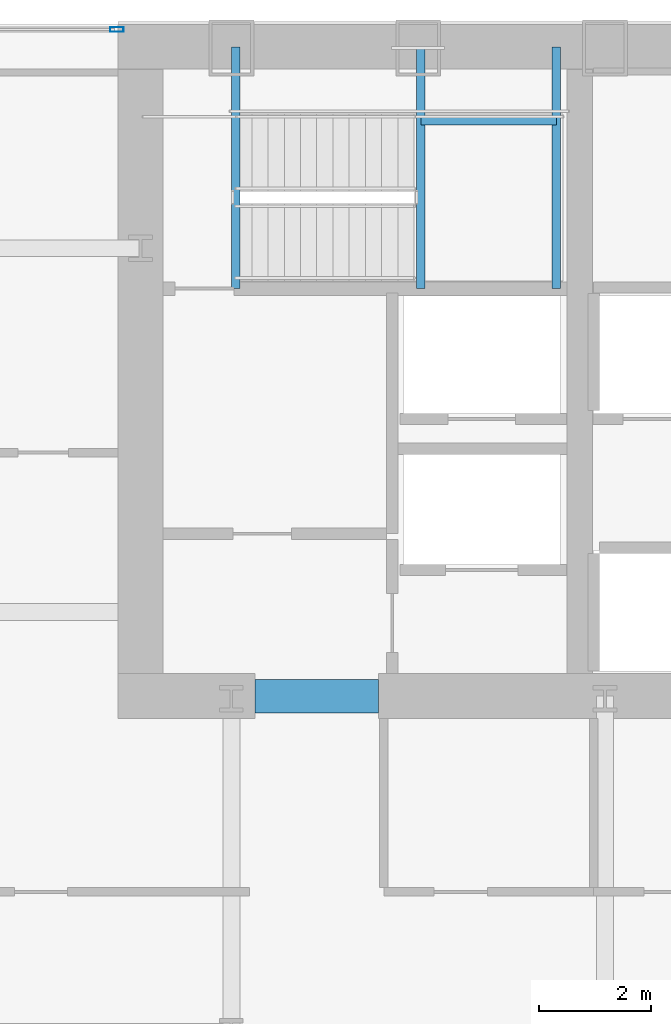
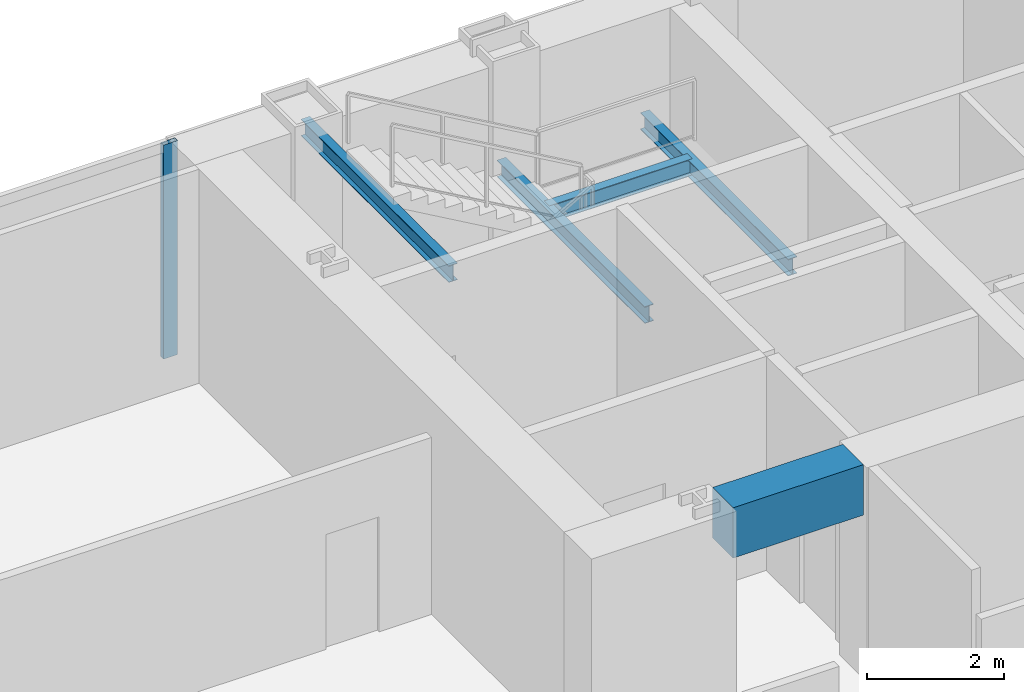
# One storey, part 18 of 35: 5 beams, 1 member, 1 element without a shape of its own.
"""IFC4 building model written with IfcOpenShell, lengths in metres."""

from ifc_helpers import new_model, si_unit, direction, frame, origin, origin_2d, place, context, subcontext, project, spatial, rectangle, hollow_rectangle, i_section, extrude, material, material_profile, profile_set, type_object, element, aggregate, save


model = new_model("IFC4")

# Units and contexts
model_context = context("Model", 3, precision=1e-05, world=origin(), true_north=direction((0.0, 1.0)))
body_context = subcontext(model_context, "Body", "Model", "MODEL_VIEW")
ifc_project = project(units=[si_unit("LENGTHUNIT", "METRE"), si_unit("AREAUNIT", "SQUARE_METRE"), si_unit("VOLUMEUNIT", "CUBIC_METRE"), si_unit("PLANEANGLEUNIT", "RADIAN"), si_unit("MASSUNIT", "GRAM", prefix="KILO")], contexts=[model_context])

# Site, building, storey
site_placement = place(None, origin())
site = spatial("IfcSite", under=ifc_project, at=site_placement, CompositionType="ELEMENT")
building_placement = place(site_placement, origin())
building = spatial("IfcBuilding", under=site, at=building_placement, Name="Khoronbel Lancet Exchange", CompositionType="ELEMENT")
storey_placement = place(building_placement, frame((0.0, 0.0, 69.800048828125)))
storey = spatial("IfcBuildingStorey", under=building, at=storey_placement, Name="L16", CompositionType="ELEMENT", Elevation=69.800048828125)

# Beams
ifc_material_1 = material(Name="Steel S355", Category="steel")
ifc_material_profile_1 = material_profile(ifc_material_1, i_section(OverallWidth=0.14990234375, OverallDepth=0.300048828125, WebThickness=0.007080078125, FlangeThickness=0.0107421875, at=origin_2d()), Name="IPE 300")
ifc_profile_set_1 = profile_set([ifc_material_profile_1], Name="Steel S355")
beam_type_1 = type_object("IfcBeamType", Name="BM-BJ8", PredefinedType="JOIST", material=ifc_profile_set_1)
for number, where, z_axis, x_axis, name in (
    (1, (21.610107421875, 48.97998046875, 1.64990234375), (0.0, 1.0, 0.0), (-1.0, 0.0, 0.0), "Level L16 stair ST1 landing bearer beam 1"),
    (2, (24.030029296875, 48.97998046875, 1.64990234375), (0.0, 1.0, 0.0), (-1.0, 0.0, 0.0), "Level L16 stair ST1 rear landing bearer beam 1"),
):
    element("IfcBeam", number, at=place(storey_placement, frame(where, z_axis=z_axis, x_axis=x_axis)), inside=storey, type_object=beam_type_1, Name=name, PredefinedType="JOIST", context=body_context, shape_type="SweptSolid", body=[
        extrude(i_section(OverallWidth=0.14990234375, OverallDepth=0.300048828125, WebThickness=0.007080078125, FlangeThickness=0.0107421875, at=origin_2d()), origin(), (0.0, 0.0, 1.0), 4.320068359375),
    ])
beam_1_placement = place(storey_placement, frame((21.610107421875, 51.97998046875, 1.64990234375), z_axis=(1.0, 0.0, 0.0), x_axis=(0.0, 1.0, 0.0)))
element("IfcBeam", 3, at=beam_1_placement, inside=storey, type_object=beam_type_1, Name="Level L16 stair ST1 landing cross trimmer beam 1", PredefinedType="JOIST", context=body_context, shape_type="SweptSolid", body=[
    extrude(i_section(OverallWidth=0.14990234375, OverallDepth=0.300048828125, WebThickness=0.007080078125, FlangeThickness=0.0107421875, at=origin_2d()), origin(), (0.0, 0.0, 1.0), 2.419921875),
])
beam_2_placement = place(storey_placement, frame((18.300048828125, 48.97998046875, 3.5400390625), z_axis=(0.0, 1.0, 0.0), x_axis=(-1.0, 0.0, 0.0)))
element("IfcBeam", 4, at=beam_2_placement, inside=storey, type_object=beam_type_1, Name="Level L16 stair ST1 upper-flight arrival trimmer beam", PredefinedType="JOIST", context=body_context, shape_type="SweptSolid", body=[
    extrude(i_section(OverallWidth=0.14990234375, OverallDepth=0.300048828125, WebThickness=0.007080078125, FlangeThickness=0.0107421875, at=origin_2d()), origin(), (0.0, 0.0, 1.0), 4.320068359375),
])
ifc_material_2 = material(Name="Concrete C80/95", Category="concrete")
ifc_material_profile_2 = material_profile(ifc_material_2, rectangle(XDim=0.60009765625, YDim=0.89990234375, at=origin_2d()), Name="RC 600x900")
ifc_profile_set_2 = profile_set([ifc_material_profile_2], Name="Concrete C80/95")
beam_type_2 = type_object("IfcBeamType", Name="BM-BL1", PredefinedType="LINTEL", material=ifc_profile_set_2)
beam_3_placement = place(storey_placement, frame((18.64990234375, 41.699951171875, 3.369873046875), z_axis=(1.0, 0.0, 0.0), x_axis=(0.0, 1.0, 0.0)))
element("IfcBeam", 5, at=beam_3_placement, inside=storey, type_object=beam_type_2, Name="Level L16 rear core coupling lintel L1", PredefinedType="LINTEL", context=body_context, shape_type="SweptSolid", body=[
    extrude(rectangle(XDim=0.60009765625, YDim=0.89990234375, at=origin_2d()), origin(), (0.0, 0.0, 1.0), 2.2001953125),
])

# Curtain wall, member
ifc_material_3 = material(Name="Low-E Solar Control Insulating Glass", Category="glass")
curtain_wall_type = type_object("IfcCurtainWallType", Name="CW-1", PredefinedType="NOTDEFINED", material=ifc_material_3)
curtain_wall_placement = place(storey_placement, origin())
curtain_wall = element("IfcCurtainWall", 6, at=curtain_wall_placement, inside=storey, type_object=curtain_wall_type, Name="Unitised curtain wall CW-L16-NWFLK", PredefinedType="NOTDEFINED")
ifc_material_4 = material(Name="Bronze-Anodised Aluminium 6063-T6", Category="aluminium")
ifc_material_profile_3 = material_profile(ifc_material_4, hollow_rectangle(XDim=0.0849609375, YDim=0.239990234375, WallThickness=0.006103515625, at=origin_2d()), Name="ALU MULLION 85x240")
ifc_profile_set_3 = profile_set([ifc_material_profile_3], Name="Bronze-Anodised Aluminium 6063-T6")
member_type = type_object("IfcMemberType", Name="MEM-CWM1", PredefinedType="MULLION", material=ifc_profile_set_3)
member_placement = place(storey_placement, frame((16.177490234375, 53.610107421875, 0.0), z_axis=(0.0, 0.0, 1.0), x_axis=(0.0, -1.0, 0.0)))
member = element("IfcMember", 7, at=member_placement, type_object=member_type, Name="CW1 mullion 1", PredefinedType="MULLION", context=body_context, shape_type="SweptSolid", body=[
    extrude(hollow_rectangle(XDim=0.0849609375, YDim=0.239990234375, WallThickness=0.006103515625, at=origin_2d()), origin(), (0.0, 0.0, 1.0), 3.820068359375),
])
aggregate(curtain_wall, [member])

save(model, "model.ifc")
